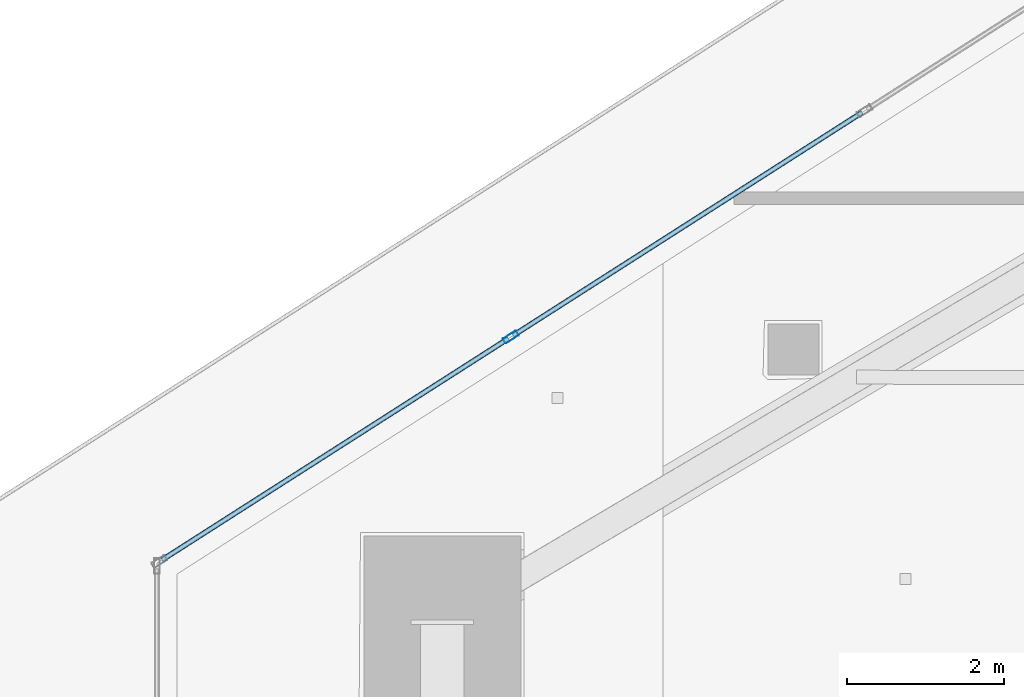
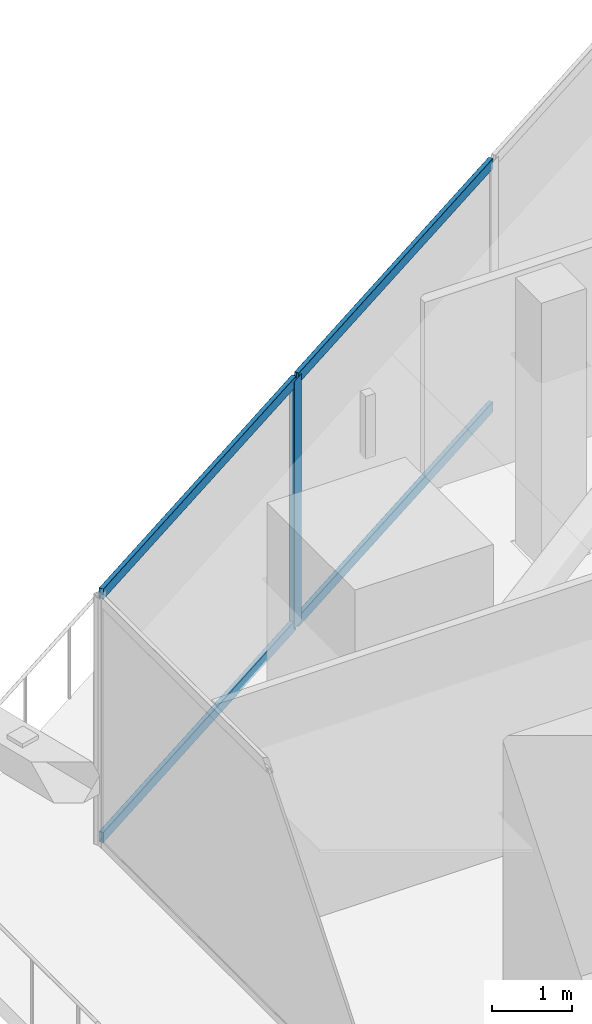
# One storey, part 16 of 43: 5 members, 1 element without a shape of its own.
"""IFC4 building model written with IfcOpenShell, lengths in metres."""

from ifc_helpers import new_model, si_unit, direction, frame, origin, origin_2d, place, context, subcontext, project, spatial, hollow_rectangle, extrude, material, layer, layer_set, material_profile, profile_set, type_object, element, aggregate, save


model = new_model("IFC4")

# Units and contexts
model_context = context("Model", 3, precision=1e-05, world=origin(), true_north=direction((0.0, 1.0)))
body_context = subcontext(model_context, "Body", "Model", "MODEL_VIEW")
ifc_project = project(units=[si_unit("LENGTHUNIT", "METRE"), si_unit("AREAUNIT", "SQUARE_METRE"), si_unit("VOLUMEUNIT", "CUBIC_METRE"), si_unit("PLANEANGLEUNIT", "RADIAN"), si_unit("MASSUNIT", "GRAM", prefix="KILO")], contexts=[model_context])

# Site, building, storey
site_placement = place(None, origin())
site = spatial("IfcSite", under=ifc_project, at=site_placement, CompositionType="ELEMENT")
building_placement = place(site_placement, origin())
building = spatial("IfcBuilding", under=site, at=building_placement, Name="Qorvath Tower", CompositionType="ELEMENT")
storey_placement = place(building_placement, frame((0.0, 0.0, 150.300048828125)))
storey = spatial("IfcBuildingStorey", under=building, at=storey_placement, Name="L34", CompositionType="ELEMENT", Elevation=150.300048828125)

# Curtain wall, members
ifc_material_1 = material(Name="Anodised aluminium and triple low-E glass", Category="aluminium")
ifc_layer = layer(ifc_material_1, 0.179931640625)
ifc_layer_set = layer_set([ifc_layer], Name="CW-SYS-5")
curtain_wall_type = type_object("IfcCurtainWallType", Name="CW-SYS-5", PredefinedType="NOTDEFINED", material=ifc_layer_set)
curtain_wall_placement = place(storey_placement, origin())
curtain_wall = element("IfcCurtainWall", 1, at=curtain_wall_placement, inside=storey, type_object=curtain_wall_type, Name="Curtain Wall CW-5 CW-T-L34-16.1", PredefinedType="NOTDEFINED")
ifc_material_2 = material(Name="Anodised aluminium 6063-T6", Category="aluminium")
ifc_material_profile_1 = material_profile(ifc_material_2, hollow_rectangle(XDim=0.074951171875, YDim=0.199951171875, WallThickness=0.00390625, InnerFilletRadius=0.00390625, OuterFilletRadius=0.008056640625, at=origin_2d()), Name="CWM 200x75")
ifc_profile_set_1 = profile_set([ifc_material_profile_1], Name="Anodised aluminium 6063-T6")
member_type_1 = type_object("IfcMemberType", Name="CWM-200", PredefinedType="MULLION", material=ifc_profile_set_1)
member_1_placement = place(storey_placement, frame((-52.17724609375, 6.58349609375, 0.0), z_axis=(0.0, 0.0, 1.0), x_axis=(0.538535404822, -0.842602882592, 0.0)))
member_1 = element("IfcMember", 2, at=member_1_placement, type_object=member_type_1, Name="CW-5 mullion 9", PredefinedType="MULLION", context=body_context, shape_type="SweptSolid", body=[
    extrude(hollow_rectangle(XDim=0.074951171875, YDim=0.199951171875, WallThickness=0.00390625, InnerFilletRadius=0.00390625, OuterFilletRadius=0.008056640625, at=origin_2d()), origin(), (0.0, 0.0, 1.0), 3.780029296875),
])
ifc_material_3 = material(Name="Anodised aluminium 6063-T6", Category="aluminium")
ifc_material_profile_2 = material_profile(ifc_material_3, hollow_rectangle(XDim=0.06494140625, YDim=0.159912109375, WallThickness=0.00341796875, InnerFilletRadius=0.00341796875, OuterFilletRadius=0.007080078125, at=origin_2d()), Name="CWT 160x65")
ifc_profile_set_2 = profile_set([ifc_material_profile_2], Name="Anodised aluminium 6063-T6")
member_type_2 = type_object("IfcMemberType", Name="CWT-160", PredefinedType="USERDEFINED", material=ifc_profile_set_2)
member_2_placement = place(storey_placement, frame((-47.702392578125, 9.443603515625, 0.032470703125), z_axis=(-0.842586552596, -0.538560954195, 0.0), x_axis=(0.538560954195, -0.842586552596, 0.0)))
member_2 = element("IfcMember", 3, at=member_2_placement, type_object=member_type_2, Name="CW-5 transom 8.1", ObjectType="TRANSOM", PredefinedType="USERDEFINED", context=body_context, shape_type="SweptSolid", body=[
    extrude(hollow_rectangle(XDim=0.06494140625, YDim=0.159912109375, WallThickness=0.00341796875, InnerFilletRadius=0.00341796875, OuterFilletRadius=0.007080078125, at=origin_2d()), origin(), (0.0, 0.0, 1.0), 5.2734375),
])
member_3_placement = place(storey_placement, frame((-47.702392578125, 9.443603515625, 3.74755859375), z_axis=(-0.842586552596, -0.538560954195, 0.0), x_axis=(0.538560954195, -0.842586552596, 0.0)))
member_3 = element("IfcMember", 4, at=member_3_placement, type_object=member_type_2, Name="CW-5 transom 8.2", ObjectType="TRANSOM", PredefinedType="USERDEFINED", context=body_context, shape_type="SweptSolid", body=[
    extrude(hollow_rectangle(XDim=0.06494140625, YDim=0.159912109375, WallThickness=0.00341796875, InnerFilletRadius=0.00341796875, OuterFilletRadius=0.007080078125, at=origin_2d()), origin(), (0.0, 0.0, 1.0), 5.2734375),
])
member_4_placement = place(storey_placement, frame((-52.208740234375, 6.563232421875, 0.032470703125), z_axis=(-0.842598111761, -0.538542869284, 0.0), x_axis=(0.538542869284, -0.842598111761, 0.0)))
member_4 = element("IfcMember", 5, at=member_4_placement, type_object=member_type_2, Name="CW-5 transom 9.1", ObjectType="TRANSOM", PredefinedType="USERDEFINED", context=body_context, shape_type="SweptSolid", body=[
    extrude(hollow_rectangle(XDim=0.06494140625, YDim=0.159912109375, WallThickness=0.00341796875, InnerFilletRadius=0.00341796875, OuterFilletRadius=0.007080078125, at=origin_2d()), origin(), (0.0, 0.0, 1.0), 5.236083984375),
])
member_5_placement = place(storey_placement, frame((-52.208740234375, 6.563232421875, 3.74755859375), z_axis=(-0.842598111761, -0.538542869284, 0.0), x_axis=(0.538542869284, -0.842598111761, 0.0)))
member_5 = element("IfcMember", 6, at=member_5_placement, type_object=member_type_2, Name="CW-5 transom 9.2", ObjectType="TRANSOM", PredefinedType="USERDEFINED", context=body_context, shape_type="SweptSolid", body=[
    extrude(hollow_rectangle(XDim=0.06494140625, YDim=0.159912109375, WallThickness=0.00341796875, InnerFilletRadius=0.00341796875, OuterFilletRadius=0.007080078125, at=origin_2d()), origin(), (0.0, 0.0, 1.0), 5.236083984375),
])
aggregate(curtain_wall, [member_1, member_2, member_3, member_4, member_5])

save(model, "model.ifc")
